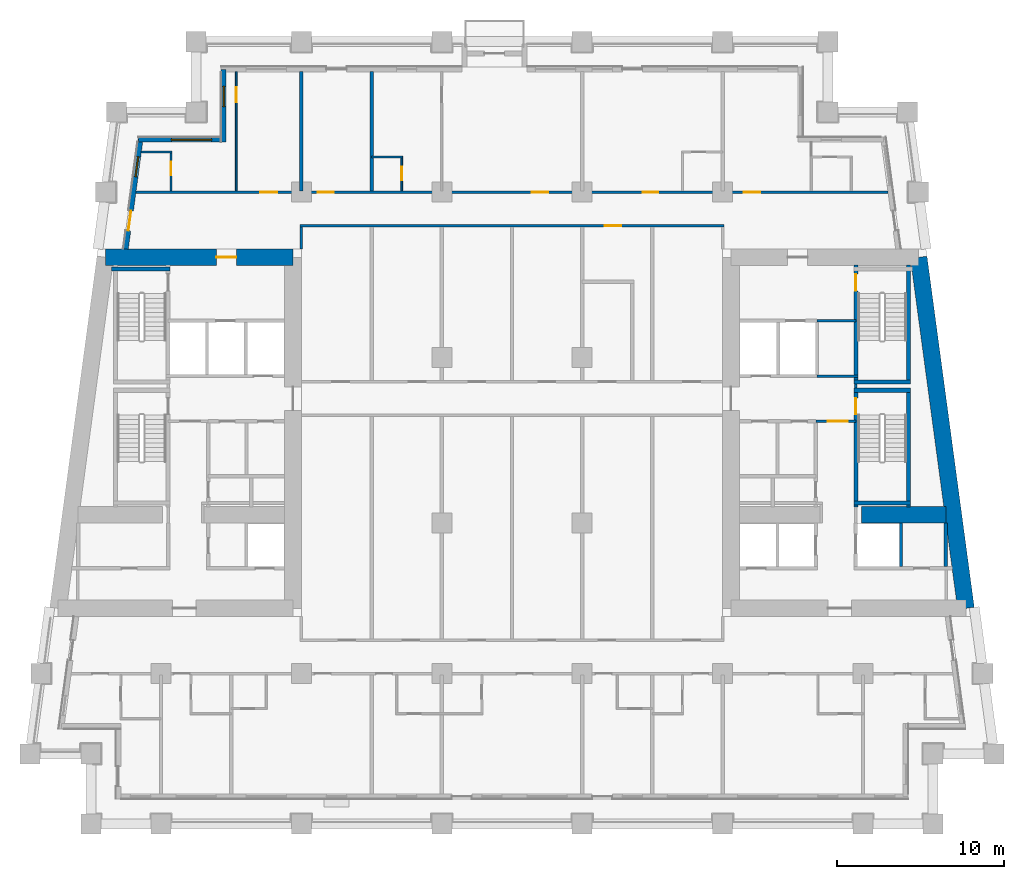
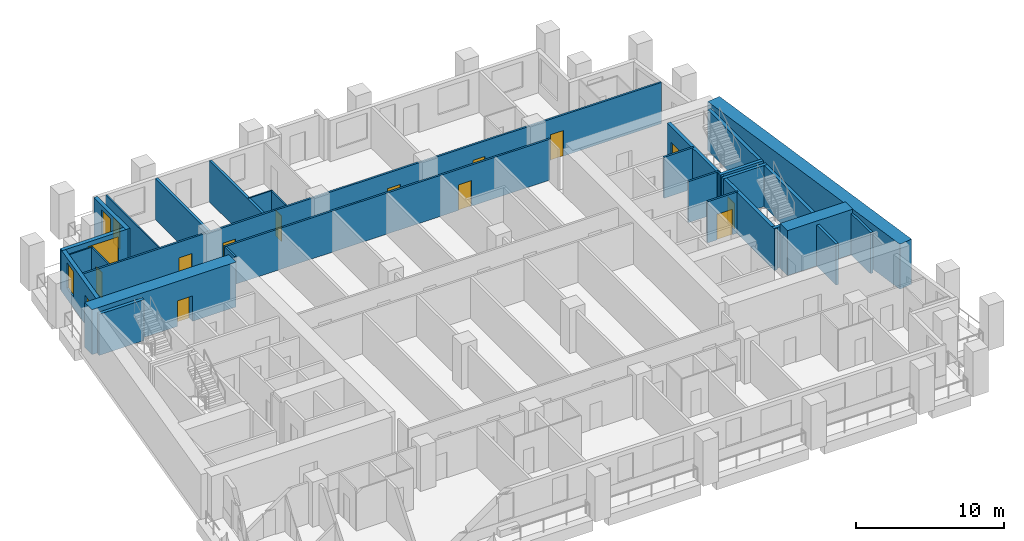
# One storey, part 6 of 13: 30 walls, 14 doors, 3 windows, 17 openings.
"""IFC4 building model written with IfcOpenShell, lengths in metres."""

import ifcopenshell
import ifcopenshell.guid

model = None  # the IFC model being written
_history = None  # IfcOwnerHistory: only IFC2X3 demands one
_inside = {}  # id of a spatial element -> (the spatial element, [elements in it])
_under = {}  # id of a project, library or spatial element -> (it, [spatial elements below it])
_declared = {}  # id of a project -> (the project, [libraries it declares])
_typed = {}  # id of a type object -> (the type object, [elements of that type])
_made_of = {}  # id of a material, layer set ... -> (it, [elements and type objects made of it])


def new_model(schema):
    """Start an empty IFC model of exactly this schema.

    Asked for "IFC4X3", IfcOpenShell would pick the latest addendum, in which some entities
    have other attributes; the version numbers below select the first issue.
    IFC2X3 requires an IfcOwnerHistory on every rooted entity: one is made here for all.
    """
    global model, _history
    if schema == "IFC4X3":
        model = ifcopenshell.file(schema_version=(4, 3, 0, 0))
    else:
        model = ifcopenshell.file(schema=schema)
    _inside.clear()
    _under.clear()
    _declared.clear()
    _typed.clear()
    _made_of.clear()
    _history = None
    if model.schema == "IFC2X3":
        org = make("IfcOrganization", Name="unknown")
        user = make(
            "IfcPersonAndOrganization",
            ThePerson=make("IfcPerson", FamilyName="unknown"),
            TheOrganization=org,
        )
        app = make(
            "IfcApplication",
            ApplicationDeveloper=org,
            Version="unknown",
            ApplicationFullName="unknown",
            ApplicationIdentifier="unknown",
        )
        _history = make(
            "IfcOwnerHistory",
            OwningUser=user,
            OwningApplication=app,
            ChangeAction="ADDED",
            CreationDate=0,
        )
    return model


def make(cls, **values):
    """One entity of the class cls with the attributes given. An attribute that is None is left unset."""
    return model.create_entity(
        cls, **{name: value for name, value in values.items() if value is not None}
    )


def rooted(cls, **values):
    """An entity with a GlobalId (a new one), such as an element, a storey or a relation."""
    return make(cls, GlobalId=ifcopenshell.guid.new(), OwnerHistory=_history, **values)


def si_unit(unit_type, name, prefix=None):
    """IfcSIUnit, for example si_unit("LENGTHUNIT", "METRE", prefix="MILLI")."""
    return make("IfcSIUnit", UnitType=unit_type, Prefix=prefix, Name=name)


def assignment(units):
    """IfcUnitAssignment: the units of a project."""
    return None if units is None else make("IfcUnitAssignment", Units=units)


def point(xyz):
    """IfcCartesianPoint."""
    return None if xyz is None else make("IfcCartesianPoint", Coordinates=xyz)


def direction(xyz):
    """IfcDirection."""
    return None if xyz is None else make("IfcDirection", DirectionRatios=xyz)


def frame(location, z_axis=None, x_axis=None):
    """IfcAxis2Placement3D, a coordinate frame: its origin and axes. An axis left out is left unset."""
    return make(
        "IfcAxis2Placement3D",
        Location=point(location),
        Axis=direction(z_axis),
        RefDirection=direction(x_axis),
    )


def frame_2d(location, x_axis=None):
    """IfcAxis2Placement2D, a coordinate frame in the plane: its origin and x axis."""
    return make(
        "IfcAxis2Placement2D", Location=point(location), RefDirection=direction(x_axis)
    )


def origin():
    """The frame at (0, 0, 0) with its axes left unset."""
    return frame((0.0, 0.0, 0.0))


def place(relative_to, where):
    """IfcLocalPlacement: puts the frame where relative to a parent placement (None: the world)."""
    return make(
        "IfcLocalPlacement", PlacementRelTo=relative_to, RelativePlacement=where
    )


def context(
    kind, dimensions, precision=None, world=None, true_north=None, identifier=None
):
    """IfcGeometricRepresentationContext, for example the 3D "Model" context."""
    return make(
        "IfcGeometricRepresentationContext",
        ContextIdentifier=identifier,
        ContextType=kind,
        CoordinateSpaceDimension=dimensions,
        Precision=precision,
        WorldCoordinateSystem=world,
        TrueNorth=true_north,
    )


def subcontext(parent, identifier, kind, view, scale=None):
    """IfcGeometricRepresentationSubContext, for example "Body" below "Model"."""
    return make(
        "IfcGeometricRepresentationSubContext",
        ContextIdentifier=identifier,
        ContextType=kind,
        ParentContext=parent,
        TargetScale=scale,
        TargetView=view,
    )


def project(units=None, contexts=None):
    """IfcProject with its units and contexts."""
    return rooted(
        "IfcProject",
        Name="project",
        RepresentationContexts=contexts,
        UnitsInContext=assignment(units),
    )


def spatial(cls, under=None, at=None, **own):
    """A site, building, storey or space (cls), placed at a placement, below another one or the project."""
    s = rooted(cls, ObjectPlacement=at, **own)
    if under is not None:
        _under.setdefault(under.id(), (under, []))[1].append(s)
    return s


def profile(cls, at=None, kind="AREA", **sizes):
    """A parametric profile (cls). Its sizes go by their IFC names, for example OverallWidth=200.0."""
    return make(cls, ProfileType=kind, Position=at, **sizes)


def rectangle(**sizes):
    """IfcRectangleProfileDef."""
    return profile("IfcRectangleProfileDef", **sizes)


def extrude(swept, where, along, depth):
    """IfcExtrudedAreaSolid: the profile swept, set in the frame where, extruded along a direction by depth."""
    return make(
        "IfcExtrudedAreaSolid",
        SweptArea=swept,
        Position=where,
        ExtrudedDirection=direction(along),
        Depth=depth,
    )


def shape(context_of_items, identifier, shape_type, items):
    """IfcShapeRepresentation: the items that make up one representation, for example the "Body"."""
    return make(
        "IfcShapeRepresentation",
        ContextOfItems=context_of_items,
        RepresentationIdentifier=identifier,
        RepresentationType=shape_type,
        Items=items,
    )


def material(Name=None, Category=None):
    """IfcMaterial."""
    return make("IfcMaterial", Name=Name, Category=Category)


def layer(
    of_material, thickness, ventilated=None, Name=None, Category=None, Priority=None
):
    """IfcMaterialLayer: one layer of a wall or slab, of a material (None: an air gap)."""
    return make(
        "IfcMaterialLayer",
        Material=of_material,
        LayerThickness=thickness,
        IsVentilated=ventilated,
        Name=Name,
        Category=Category,
        Priority=Priority,
    )


def layer_set(layers, Name=None):
    """IfcMaterialLayerSet."""
    return make("IfcMaterialLayerSet", MaterialLayers=layers, LayerSetName=Name)


def made_of(thing, what):
    """Note that an element or type object is made of a material, layer set ...; save() writes the relation."""
    if what is not None:
        _made_of.setdefault(what.id(), (what, []))[1].append(thing)
    return thing


def type_object(cls, material=None, **own):
    """A type object (cls), such as IfcWallType, which elements share."""
    return made_of(rooted(cls, **own), material)


def element(
    cls,
    number,
    at=None,
    inside=None,
    cuts=None,
    type_object=None,
    material=None,
    context=None,
    identifier="Body",
    shape_type=None,
    held_by="IfcProductDefinitionShape",
    body=None,
    shapes=None,
    **own,
):
    """One element of the class cls, such as IfcWall. Its Tag is "e" and its number.

    at: its placement. inside: the storey or other place that contains it. cuts: it is an
    opening in that element (IfcRelVoidsElement). A single representation is given by context,
    identifier, shape_type and body (its items); several are given by shapes. held_by: the class
    of the entity that holds the representations. save() writes the other relations.
    """
    e = rooted(cls, Tag="e%d" % number, ObjectPlacement=at, **own)
    if body is not None:
        shapes = [shape(context, identifier, shape_type, body)]
    if shapes is not None:
        e.Representation = make(held_by, Representations=shapes)
    if inside is not None:
        _inside.setdefault(inside.id(), (inside, []))[1].append(e)
    if cuts is not None:
        rooted(
            "IfcRelVoidsElement", RelatingBuildingElement=cuts, RelatedOpeningElement=e
        )
    if type_object is not None:
        _typed.setdefault(type_object.id(), (type_object, []))[1].append(e)
    return made_of(e, material)


def fill(opening, filler):
    """IfcRelFillsElement: the door or window that sits in an opening."""
    return rooted(
        "IfcRelFillsElement",
        RelatingOpeningElement=opening,
        RelatedBuildingElement=filler,
    )


def aggregate(whole, parts):
    """IfcRelAggregates: a whole, such as a stair, and the parts it consists of."""
    return rooted("IfcRelAggregates", RelatingObject=whole, RelatedObjects=parts)


def save(model, path):
    """Write the relations noted so far, then the file.

    IfcRelAggregates (storeys below a building ...), IfcRelContainedInSpatialStructure (elements
    in a storey), IfcRelDefinesByType, IfcRelAssociatesMaterial and IfcRelDeclares: one each for
    every whole, place, type object, material and project.
    """
    for whole, parts in _under.values():
        aggregate(whole, parts)
    for where, things in _inside.values():
        rooted(
            "IfcRelContainedInSpatialStructure",
            RelatedElements=things,
            RelatingStructure=where,
        )
    for kind, things in _typed.values():
        rooted("IfcRelDefinesByType", RelatedObjects=things, RelatingType=kind)
    for what, things in _made_of.values():
        rooted("IfcRelAssociatesMaterial", RelatedObjects=things, RelatingMaterial=what)
    for by, libraries in _declared.values():
        rooted("IfcRelDeclares", RelatingContext=by, RelatedDefinitions=libraries)
    model.write(path)


model = new_model("IFC4")

# Units and contexts
model_context = context("Model", 3, precision=1e-05, world=origin(), true_north=direction((0.0, 1.0)))
body_context = subcontext(model_context, "Body", "Model", "MODEL_VIEW")
ifc_project = project(units=[si_unit("LENGTHUNIT", "METRE"), si_unit("AREAUNIT", "SQUARE_METRE"), si_unit("VOLUMEUNIT", "CUBIC_METRE"), si_unit("PLANEANGLEUNIT", "RADIAN"), si_unit("MASSUNIT", "GRAM", prefix="KILO")], contexts=[model_context])

# Site, building, storey
site_placement = place(None, origin())
site = spatial("IfcSite", under=ifc_project, at=site_placement, CompositionType="ELEMENT")
building_placement = place(site_placement, origin())
building = spatial("IfcBuilding", under=site, at=building_placement, Name="Candeia Pilgrim Tower and Theatre", CompositionType="ELEMENT")
storey_placement = place(building_placement, frame((0.0, 0.0, 105.800048828125)))
storey = spatial("IfcBuildingStorey", under=building, at=storey_placement, Name="L24", CompositionType="ELEMENT", Elevation=105.800048828125)

# Wall, opening, door
ifc_material_1 = material(Name="Concrete C70/85", Category="concrete")
ifc_layer_1 = layer(ifc_material_1, 1.0)
ifc_layer_set_1 = layer_set([ifc_layer_1], Name="Core wall 1000 C70/85")
wall_type_1 = type_object("IfcWallType", Name="Core wall 1000 C70/85", PredefinedType="SHEAR", material=ifc_layer_set_1)
wall_1_placement = place(storey_placement, frame((89.06787109375, 131.89990234375, 0.0), z_axis=(0.0, 0.0, 1.0), x_axis=(1.0, 0.0, 0.0)))
wall_1 = element("IfcWall", 1, at=wall_1_placement, inside=storey, type_object=wall_type_1, Name="Core wall W1", PredefinedType="SHEAR", context=body_context, shape_type="SweptSolid", body=[
    extrude(rectangle(XDim=11.232177734375, YDim=1.0, at=frame_2d((5.6162109375, 0.0))), origin(), (0.0, 0.0, 1.0), 3.699951171875),
])
opening_1_placement = place(wall_1_placement, frame((6.6455078125, 0.0, 0.0)))
opening_1 = element("IfcOpeningElement", 2, at=opening_1_placement, cuts=wall_1, Name="Opening L24-D060", PredefinedType="OPENING", context=body_context, shape_type="SweptSolid", body=[
    extrude(rectangle(XDim=1.199951171875, YDim=2.10009765625, at=frame_2d((0.60009765625, 1.050048828125))), frame((0.0, 0.510009765625, 0.0), z_axis=(0.0, -1.0, 0.0), x_axis=(1.0, 0.0, 0.0)), (0.0, 0.0, 1.0), 1.02001953125),
])
ifc_material_2 = material(Name="Steel fire door set", Category="steel")
door_type_1 = type_object("IfcDoorType", Name="D-1200-FD60", OperationType="NOTDEFINED", PredefinedType="DOOR", material=ifc_material_2)
door_1_placement = place(opening_1_placement, origin())
door_1 = element("IfcDoor", 3, at=door_1_placement, inside=storey, type_object=door_type_1, Name="Door L24-D060", OperationType="SINGLE_SWING_RIGHT", OverallHeight=2.10009765625, OverallWidth=1.199951171875, PredefinedType="DOOR", context=body_context, shape_type="SweptSolid", body=[
    extrude(rectangle(XDim=1.199951171875, YDim=2.10009765625, at=frame_2d((0.60009765625, 1.050048828125))), frame((0.0, 0.02490234375, 0.0), z_axis=(0.0, -1.0, 0.0), x_axis=(1.0, 0.0, 0.0)), (0.0, 0.0, 1.0), 0.050048828125),
])
fill(opening_1, door_1)

# Walls
wall_2_placement = place(storey_placement, frame((137.73193359375, 131.89990234375, 0.0), z_axis=(0.0, 0.0, 1.0), x_axis=(0.133411141623, -0.991060778808, 0.0)))
element("IfcWall", 4, at=wall_2_placement, inside=storey, type_object=wall_type_1, Name="Core wall E2", PredefinedType="SHEAR", context=body_context, shape_type="SweptSolid", body=[
    extrude(rectangle(XDim=21.189453125, YDim=1.0, at=frame_2d((10.5947265625, 0.0))), origin(), (0.0, 0.0, 1.0), 3.699951171875),
])
wall_3_placement = place(storey_placement, frame((134.300048828125, 116.5, 0.0), z_axis=(0.0, 0.0, 1.0), x_axis=(1.0, 0.0, 0.0)))
element("IfcWall", 5, at=wall_3_placement, inside=storey, type_object=wall_type_1, Name="Core wall E6", PredefinedType="SHEAR", context=body_context, shape_type="SweptSolid", body=[
    extrude(rectangle(XDim=5.076904296875, YDim=1.0, at=frame_2d((2.53857421875, 0.0))), origin(), (0.0, 0.0, 1.0), 3.699951171875),
])

# Wall, opening, window
ifc_material_3 = material(Name="Ceramic block masonry", Category="masonry")
ifc_layer_2 = layer(ifc_material_3, 0.300048828125)
ifc_layer_set_2 = layer_set([ifc_layer_2], Name="EW1 glazing-line wall 300")
wall_type_2 = type_object("IfcWallType", Name="EW1 glazing-line wall 300", PredefinedType="SOLIDWALL", material=ifc_layer_set_2)
wall_4_placement = place(storey_placement, frame((96.14990234375, 143.14990234375, 0.0), z_axis=(0.0, 0.0, 1.0), x_axis=(0.0, -1.0, 0.0)))
wall_4 = element("IfcWall", 6, at=wall_4_placement, inside=storey, type_object=wall_type_2, Name="External wall L24-7.0", PredefinedType="SOLIDWALL", context=body_context, shape_type="SweptSolid", body=[
    extrude(rectangle(XDim=4.349853515625, YDim=0.300048828125, at=frame_2d((2.1748046875, 0.0))), origin(), (0.0, 0.0, 1.0), 3.3798828125),
])
opening_2_placement = place(wall_4_placement, frame((1.02490234375, 0.0, 0.89990234375)))
opening_2 = element("IfcOpeningElement", 7, at=opening_2_placement, cuts=wall_4, Name="Opening W-B", PredefinedType="OPENING", context=body_context, shape_type="SweptSolid", body=[
    extrude(rectangle(XDim=1.199951171875, YDim=2.10009765625, at=frame_2d((0.60009765625, 1.050048828125))), frame((0.0, 0.16015625, 0.0), z_axis=(0.0, -1.0, 0.0), x_axis=(1.0, 0.0, 0.0)), (0.0, 0.0, 1.0), 0.320068359375),
])
ifc_material_4 = material(Name="Aluminium framed double glazing", Category="aluminium")
window_type_1 = type_object("IfcWindowType", Name="W-B window 1200x2100", PartitioningType="SINGLE_PANEL", PredefinedType="WINDOW", material=ifc_material_4)
window_1_placement = place(opening_2_placement, origin())
window_1 = element("IfcWindow", 8, at=window_1_placement, inside=storey, type_object=window_type_1, Name="Window W-B L24", OverallHeight=2.10009765625, OverallWidth=1.199951171875, PartitioningType="SINGLE_PANEL", PredefinedType="WINDOW", context=body_context, shape_type="SweptSolid", body=[
    extrude(rectangle(XDim=1.199951171875, YDim=2.10009765625, at=frame_2d((0.60009765625, 1.050048828125))), frame((0.0, 0.030029296875, 0.0), z_axis=(0.0, -1.0, 0.0), x_axis=(1.0, 0.0, 0.0)), (0.0, 0.0, 1.0), 0.06005859375),
])
fill(opening_2, window_1)

wall_5_placement = place(storey_placement, frame((96.14990234375, 138.949951171875, 0.0), z_axis=(0.0, 0.0, 1.0), x_axis=(-1.0, 0.0, 0.0)))
wall_5 = element("IfcWall", 9, at=wall_5_placement, inside=storey, type_object=wall_type_2, Name="External wall L24-8.0", PredefinedType="SOLIDWALL", context=body_context, shape_type="SweptSolid", body=[
    extrude(rectangle(XDim=5.103759765625, YDim=0.300048828125, at=frame_2d((2.5517578125, 0.0))), origin(), (0.0, 0.0, 1.0), 3.3798828125),
])
opening_3_placement = place(wall_5_placement, frame((0.72509765625, 0.0, 0.89990234375)))
opening_3 = element("IfcOpeningElement", 10, at=opening_3_placement, cuts=wall_5, Name="Opening W-A", PredefinedType="OPENING", context=body_context, shape_type="SweptSolid", body=[
    extrude(rectangle(XDim=2.39990234375, YDim=2.10009765625, at=frame_2d((1.199951171875, 1.050048828125))), frame((0.0, 0.16015625, 0.0), z_axis=(0.0, -1.0, 0.0), x_axis=(1.0, 0.0, 0.0)), (0.0, 0.0, 1.0), 0.320068359375),
])
window_type_2 = type_object("IfcWindowType", Name="W-A window 2400x2100", PartitioningType="DOUBLE_PANEL_VERTICAL", PredefinedType="WINDOW", material=ifc_material_4)
window_2_placement = place(opening_3_placement, origin())
window_2 = element("IfcWindow", 11, at=window_2_placement, inside=storey, type_object=window_type_2, Name="Window W-A L24", OverallHeight=2.10009765625, OverallWidth=2.39990234375, PartitioningType="SINGLE_PANEL", PredefinedType="WINDOW", context=body_context, shape_type="SweptSolid", body=[
    extrude(rectangle(XDim=2.39990234375, YDim=2.10009765625, at=frame_2d((1.199951171875, 1.050048828125))), frame((0.0, 0.030029296875, 0.0), z_axis=(0.0, -1.0, 0.0), x_axis=(1.0, 0.0, 0.0)), (0.0, 0.0, 1.0), 0.06005859375),
])
fill(opening_3, window_2)

# Wall, openings, door, window
wall_6_placement = place(storey_placement, frame((91.177490234375, 138.949951171875, 0.0), z_axis=(0.0, 0.0, 1.0), x_axis=(-0.133426664613, -0.991058689065, 0.0)))
wall_6 = element("IfcWall", 12, at=wall_6_placement, inside=storey, type_object=wall_type_2, Name="External wall L24-9.0", PredefinedType="SOLIDWALL", context=body_context, shape_type="SweptSolid", body=[
    extrude(rectangle(XDim=6.609130859375, YDim=0.300048828125, at=frame_2d((3.3046875, 0.0))), origin(), (0.0, 0.0, 1.0), 3.3798828125),
])
opening_4_placement = place(wall_6_placement, frame((1.039306640625, 0.0, 0.89990234375)))
opening_4 = element("IfcOpeningElement", 13, at=opening_4_placement, cuts=wall_6, Name="Opening W-B", PredefinedType="OPENING", context=body_context, shape_type="SweptSolid", body=[
    extrude(rectangle(XDim=1.199951171875, YDim=2.10009765625, at=frame_2d((0.60009765625, 1.050048828125))), frame((0.0, 0.16015625, 0.0), z_axis=(0.0, -1.0, 0.0), x_axis=(1.0, 0.0, 0.0)), (0.0, 0.0, 1.0), 0.320068359375),
])
opening_5_placement = place(wall_6_placement, frame((4.293701171875, 0.0, 0.0)))
opening_5 = element("IfcOpeningElement", 14, at=opening_5_placement, cuts=wall_6, Name="Opening L24-ED250", PredefinedType="OPENING", context=body_context, shape_type="SweptSolid", body=[
    extrude(rectangle(XDim=1.199951171875, YDim=2.39990234375, at=frame_2d((0.60009765625, 1.199951171875))), frame((0.0, 0.16015625, 0.0), z_axis=(0.0, -1.0, 0.0), x_axis=(1.0, 0.0, 0.0)), (0.0, 0.0, 1.0), 0.320068359375),
])
ifc_material_5 = material(Name="Aluminium framed glazed door", Category="aluminium")
door_type_2 = type_object("IfcDoorType", Name="Loggia door 1200x2400", OperationType="DOUBLE_DOOR_SINGLE_SWING", PredefinedType="DOOR", material=ifc_material_5)
door_2_placement = place(opening_5_placement, origin())
door_2 = element("IfcDoor", 15, at=door_2_placement, inside=storey, type_object=door_type_2, Name="Loggia door L24-ED250", OperationType="DOUBLE_DOOR_SINGLE_SWING", OverallHeight=2.39990234375, OverallWidth=1.199951171875, PredefinedType="DOOR", context=body_context, shape_type="SweptSolid", body=[
    extrude(rectangle(XDim=1.199951171875, YDim=2.39990234375, at=frame_2d((0.60009765625, 1.199951171875))), frame((0.0, 0.02490234375, 0.0), z_axis=(0.0, -1.0, 0.0), x_axis=(1.0, 0.0, 0.0)), (0.0, 0.0, 1.0), 0.050048828125),
])
fill(opening_5, door_2)
window_3_placement = place(opening_4_placement, origin())
window_3 = element("IfcWindow", 16, at=window_3_placement, inside=storey, type_object=window_type_1, Name="Window W-B L24", OverallHeight=2.10009765625, OverallWidth=1.199951171875, PartitioningType="SINGLE_PANEL", PredefinedType="WINDOW", context=body_context, shape_type="SweptSolid", body=[
    extrude(rectangle(XDim=1.199951171875, YDim=2.10009765625, at=frame_2d((0.60009765625, 1.050048828125))), frame((0.0, 0.030029296875, 0.0), z_axis=(0.0, -1.0, 0.0), x_axis=(1.0, 0.0, 0.0)), (0.0, 0.0, 1.0), 0.06005859375),
])
fill(opening_4, window_3)

# Walls
ifc_material_6 = material(Name="Gypsum board partition on steel studs", Category="steel")
ifc_layer_3 = layer(ifc_material_6, 0.10009765625)
ifc_layer_set_3 = layer_set([ifc_layer_3], Name="PW-100 room partition")
wall_type_3 = type_object("IfcWallType", Name="PW-100 room partition", PredefinedType="PARTITIONING", material=ifc_layer_set_3)
wall_7_placement = place(storey_placement, frame((105.0, 137.89990234375, 0.0), z_axis=(0.0, 0.0, 1.0), x_axis=(1.0, 0.0, 0.0)))
element("IfcWall", 17, at=wall_7_placement, inside=storey, type_object=wall_type_3, Name="Room partition L24-044", PredefinedType="PARTITIONING", context=body_context, shape_type="SweptSolid", body=[
    extrude(rectangle(XDim=1.85009765625, YDim=0.10009765625, at=frame_2d((0.925048828125, 0.0))), origin(), (0.0, 0.0, 1.0), 3.3798828125),
])
wall_8_placement = place(storey_placement, frame((91.2177734375, 138.199951171875, 0.0), z_axis=(0.0, 0.0, 1.0), x_axis=(1.0, 0.0, 0.0)))
element("IfcWall", 18, at=wall_8_placement, inside=storey, type_object=wall_type_3, Name="Room partition L24-046", PredefinedType="PARTITIONING", context=body_context, shape_type="SweptSolid", body=[
    extrude(rectangle(XDim=1.832275390625, YDim=0.10009765625, at=frame_2d((0.916015625, 0.0))), origin(), (0.0, 0.0, 1.0), 3.3798828125),
])

# Wall, opening, door
wall_9_placement = place(storey_placement, frame((93.0, 135.875, 0.0), z_axis=(0.0, 0.0, 1.0), x_axis=(0.0, 1.0, 0.0)))
wall_9 = element("IfcWall", 19, at=wall_9_placement, inside=storey, type_object=wall_type_3, Name="Room partition L24-059", PredefinedType="PARTITIONING", context=body_context, shape_type="SweptSolid", body=[
    extrude(rectangle(XDim=2.27490234375, YDim=0.10009765625, at=frame_2d((1.137451171875, 0.0))), origin(), (0.0, 0.0, 1.0), 3.3798828125),
])
opening_6_placement = place(wall_9_placement, frame((0.949951171875, 0.0, 0.0)))
opening_6 = element("IfcOpeningElement", 20, at=opening_6_placement, cuts=wall_9, Name="Opening L24-D036", PredefinedType="OPENING", context=body_context, shape_type="SweptSolid", body=[
    extrude(rectangle(XDim=0.800048828125, YDim=2.10009765625, at=frame_2d((0.39990234375, 1.050048828125))), frame((0.0, 0.06005859375, 0.0), z_axis=(0.0, -1.0, 0.0), x_axis=(1.0, 0.0, 0.0)), (0.0, 0.0, 1.0), 0.1201171875),
])
ifc_material_7 = material(Name="Timber door leaf", Category="wood")
door_type_3 = type_object("IfcDoorType", Name="D-800", OperationType="NOTDEFINED", PredefinedType="DOOR", material=ifc_material_7)
door_3_placement = place(opening_6_placement, origin())
door_3 = element("IfcDoor", 21, at=door_3_placement, inside=storey, type_object=door_type_3, Name="Door L24-D036", OperationType="SINGLE_SWING_RIGHT", OverallHeight=2.10009765625, OverallWidth=0.800048828125, PredefinedType="DOOR", context=body_context, shape_type="SweptSolid", body=[
    extrude(rectangle(XDim=0.800048828125, YDim=2.10009765625, at=frame_2d((0.39990234375, 1.050048828125))), frame((0.0, 0.02490234375, 0.0), z_axis=(0.0, -1.0, 0.0), x_axis=(1.0, 0.0, 0.0)), (0.0, 0.0, 1.0), 0.050048828125),
])
fill(opening_6, door_3)

wall_10_placement = place(storey_placement, frame((96.89990234375, 135.875, 0.0), z_axis=(0.0, 0.0, 1.0), x_axis=(0.0, 1.0, 0.0)))
wall_10 = element("IfcWall", 22, at=wall_10_placement, inside=storey, type_object=wall_type_3, Name="Room partition L24-066", PredefinedType="PARTITIONING", context=body_context, shape_type="SweptSolid", body=[
    extrude(rectangle(XDim=7.135009765625, YDim=0.10009765625, at=frame_2d((3.5673828125, 0.0))), origin(), (0.0, 0.0, 1.0), 3.3798828125),
])
opening_7_placement = place(wall_10_placement, frame((5.2900390625, 0.0, 0.0)))
opening_7 = element("IfcOpeningElement", 23, at=opening_7_placement, cuts=wall_10, Name="Opening L24-D035", PredefinedType="OPENING", context=body_context, shape_type="SweptSolid", body=[
    extrude(rectangle(XDim=0.89990234375, YDim=2.10009765625, at=frame_2d((0.449951171875, 1.050048828125))), frame((0.0, 0.06005859375, 0.0), z_axis=(0.0, -1.0, 0.0), x_axis=(1.0, 0.0, 0.0)), (0.0, 0.0, 1.0), 0.1201171875),
])
door_type_4 = type_object("IfcDoorType", Name="D-900", OperationType="NOTDEFINED", PredefinedType="DOOR", material=ifc_material_7)
door_4_placement = place(opening_7_placement, origin())
door_4 = element("IfcDoor", 24, at=door_4_placement, inside=storey, type_object=door_type_4, Name="Door L24-D035", OperationType="SINGLE_SWING_LEFT", OverallHeight=2.10009765625, OverallWidth=0.89990234375, PredefinedType="DOOR", context=body_context, shape_type="SweptSolid", body=[
    extrude(rectangle(XDim=0.89990234375, YDim=2.10009765625, at=frame_2d((0.449951171875, 1.050048828125))), frame((0.0, 0.02490234375, 0.0), z_axis=(0.0, -1.0, 0.0), x_axis=(1.0, 0.0, 0.0)), (0.0, 0.0, 1.0), 0.050048828125),
])
fill(opening_7, door_4)

wall_11_placement = place(storey_placement, frame((106.800048828125, 135.875, 0.0), z_axis=(0.0, 0.0, 1.0), x_axis=(0.0, 1.0, 0.0)))
wall_11 = element("IfcWall", 25, at=wall_11_placement, inside=storey, type_object=wall_type_3, Name="Room partition L24-080", PredefinedType="PARTITIONING", context=body_context, shape_type="SweptSolid", body=[
    extrude(rectangle(XDim=1.97509765625, YDim=0.10009765625, at=frame_2d((0.987548828125, 0.0))), origin(), (0.0, 0.0, 1.0), 3.3798828125),
])
opening_8_placement = place(wall_11_placement, frame((0.635009765625, 0.0, 0.0)))
opening_8 = element("IfcOpeningElement", 26, at=opening_8_placement, cuts=wall_11, Name="Opening L24-D040", PredefinedType="OPENING", context=body_context, shape_type="SweptSolid", body=[
    extrude(rectangle(XDim=0.800048828125, YDim=2.10009765625, at=frame_2d((0.39990234375, 1.050048828125))), frame((0.0, 0.06005859375, 0.0), z_axis=(0.0, -1.0, 0.0), x_axis=(1.0, 0.0, 0.0)), (0.0, 0.0, 1.0), 0.1201171875),
])
door_5_placement = place(opening_8_placement, origin())
door_5 = element("IfcDoor", 27, at=door_5_placement, inside=storey, type_object=door_type_3, Name="Door L24-D040", OperationType="SINGLE_SWING_RIGHT", OverallHeight=2.10009765625, OverallWidth=0.800048828125, PredefinedType="DOOR", context=body_context, shape_type="SweptSolid", body=[
    extrude(rectangle(XDim=0.800048828125, YDim=2.10009765625, at=frame_2d((0.39990234375, 1.050048828125))), frame((0.0, 0.02490234375, 0.0), z_axis=(0.0, -1.0, 0.0), x_axis=(1.0, 0.0, 0.0)), (0.0, 0.0, 1.0), 0.050048828125),
])
fill(opening_8, door_5)

ifc_layer_4 = layer(ifc_material_6, 0.14990234375)
ifc_layer_set_4 = layer_set([ifc_layer_4], Name="PW-150 lobby wall")
wall_type_4 = type_object("IfcWallType", Name="PW-150 lobby wall", PredefinedType="PARTITIONING", material=ifc_layer_set_4)
wall_12_placement = place(storey_placement, frame((131.572998046875, 122.10009765625, 0.0), z_axis=(0.0, 0.0, 1.0), x_axis=(1.0, 0.0, 0.0)))
wall_12 = element("IfcWall", 28, at=wall_12_placement, inside=storey, type_object=wall_type_4, Name="Lobby wall L24-026", PredefinedType="PARTITIONING", context=body_context, shape_type="SweptSolid", body=[
    extrude(rectangle(XDim=2.39990234375, YDim=0.14990234375, at=frame_2d((1.199951171875, 0.0))), origin(), (0.0, 0.0, 1.0), 3.3798828125),
])
opening_9_placement = place(wall_12_placement, frame((0.72509765625, 0.0, 0.0)))
opening_9 = element("IfcOpeningElement", 29, at=opening_9_placement, cuts=wall_12, Name="Opening L24-D009", PredefinedType="OPENING", context=body_context, shape_type="SweptSolid", body=[
    extrude(rectangle(XDim=1.199951171875, YDim=2.10009765625, at=frame_2d((0.60009765625, 1.050048828125))), frame((0.0, 0.0849609375, 0.0), z_axis=(0.0, -1.0, 0.0), x_axis=(1.0, 0.0, 0.0)), (0.0, 0.0, 1.0), 0.169921875),
])
door_6_placement = place(opening_9_placement, origin())
door_6 = element("IfcDoor", 30, at=door_6_placement, inside=storey, type_object=door_type_1, Name="Door L24-D009", OperationType="SINGLE_SWING_RIGHT", OverallHeight=2.10009765625, OverallWidth=1.199951171875, PredefinedType="DOOR", context=body_context, shape_type="SweptSolid", body=[
    extrude(rectangle(XDim=1.199951171875, YDim=2.10009765625, at=frame_2d((0.60009765625, 1.050048828125))), frame((0.0, 0.02490234375, 0.0), z_axis=(0.0, -1.0, 0.0), x_axis=(1.0, 0.0, 0.0)), (0.0, 0.0, 1.0), 0.050048828125),
])
fill(opening_9, door_6)

# Walls
wall_13_placement = place(storey_placement, frame((131.648681640625, 124.800048828125, 0.0), z_axis=(0.0, 0.0, 1.0), x_axis=(1.0, 0.0, 0.0)))
element("IfcWall", 31, at=wall_13_placement, inside=storey, type_object=wall_type_4, Name="Lobby wall L24-035", PredefinedType="PARTITIONING", context=body_context, shape_type="SweptSolid", body=[
    extrude(rectangle(XDim=2.44921875, YDim=0.14990234375, at=frame_2d((1.224609375, 0.0))), origin(), (0.0, 0.0, 1.0), 3.3798828125),
])
wall_14_placement = place(storey_placement, frame((131.648681640625, 128.10009765625, 0.0), z_axis=(0.0, 0.0, 1.0), x_axis=(1.0, 0.0, 0.0)))
element("IfcWall", 32, at=wall_14_placement, inside=storey, type_object=wall_type_4, Name="Lobby wall L24-038", PredefinedType="PARTITIONING", context=body_context, shape_type="SweptSolid", body=[
    extrude(rectangle(XDim=2.32421875, YDim=0.14990234375, at=frame_2d((1.162109375, 0.0))), origin(), (0.0, 0.0, 1.0), 3.3798828125),
])
wall_15_placement = place(storey_placement, frame((133.972900390625, 124.074951171875, 0.0), z_axis=(0.0, 0.0, 1.0), x_axis=(0.0, 1.0, 0.0)))
element("IfcWall", 33, at=wall_15_placement, inside=storey, type_object=wall_type_4, Name="Lobby wall L24-116", PredefinedType="PARTITIONING", context=body_context, shape_type="SweptSolid", body=[
    extrude(rectangle(XDim=0.25, YDim=0.14990234375, at=frame_2d((0.125, 0.0))), origin(), (0.0, 0.0, 1.0), 3.3798828125),
])

# Wall, opening, door
ifc_layer_5 = layer(ifc_material_6, 0.14990234375)
ifc_layer_set_5 = layer_set([ifc_layer_5], Name="PW-150 unit wall")
wall_type_5 = type_object("IfcWallType", Name="PW-150 unit wall", PredefinedType="PARTITIONING", material=ifc_layer_set_5)
wall_16_placement = place(storey_placement, frame((100.72509765625, 133.800048828125, 0.0), z_axis=(0.0, 0.0, 1.0), x_axis=(1.0, 0.0, 0.0)))
wall_16 = element("IfcWall", 34, at=wall_16_placement, inside=storey, type_object=wall_type_5, Name="Unit wall L24-042", PredefinedType="PARTITIONING", context=body_context, shape_type="SweptSolid", body=[
    extrude(rectangle(XDim=25.349853515625, YDim=0.14990234375, at=frame_2d((12.6748046875, 0.0))), origin(), (0.0, 0.0, 1.0), 3.3798828125),
])
opening_10_placement = place(wall_16_placement, frame((18.22509765625, 0.0, 0.0)))
opening_10 = element("IfcOpeningElement", 35, at=opening_10_placement, cuts=wall_16, Name="Opening L24-D046", PredefinedType="OPENING", context=body_context, shape_type="SweptSolid", body=[
    extrude(rectangle(XDim=1.0, YDim=2.10009765625, at=frame_2d((0.5, 1.050048828125))), frame((0.0, 0.0849609375, 0.0), z_axis=(0.0, -1.0, 0.0), x_axis=(1.0, 0.0, 0.0)), (0.0, 0.0, 1.0), 0.169921875),
])
door_type_5 = type_object("IfcDoorType", Name="D-1000-FD30S", OperationType="NOTDEFINED", PredefinedType="DOOR", material=ifc_material_2)
door_7_placement = place(opening_10_placement, origin())
door_7 = element("IfcDoor", 36, at=door_7_placement, inside=storey, type_object=door_type_5, Name="Door L24-D046", OperationType="SINGLE_SWING_RIGHT", OverallHeight=2.10009765625, OverallWidth=1.0, PredefinedType="DOOR", context=body_context, shape_type="SweptSolid", body=[
    extrude(rectangle(XDim=1.0, YDim=2.10009765625, at=frame_2d((0.5, 1.050048828125))), frame((0.0, 0.02490234375, 0.0), z_axis=(0.0, -1.0, 0.0), x_axis=(1.0, 0.0, 0.0)), (0.0, 0.0, 1.0), 0.050048828125),
])
fill(opening_10, door_7)

# Wall, openings, doors
wall_17_placement = place(storey_placement, frame((90.89453125, 135.800048828125, 0.0), z_axis=(0.0, 0.0, 1.0), x_axis=(1.0, 0.0, 0.0)))
wall_17 = element("IfcWall", 37, at=wall_17_placement, inside=storey, type_object=wall_type_5, Name="Unit wall L24-043", PredefinedType="PARTITIONING", context=body_context, shape_type="SweptSolid", body=[
    extrude(rectangle(XDim=45.010986328125, YDim=0.14990234375, at=frame_2d((22.50537109375, 0.0))), origin(), (0.0, 0.0, 1.0), 3.3798828125),
])
opening_11_placement = place(wall_17_placement, frame((7.455322265625, 0.0, 0.0)))
opening_11 = element("IfcOpeningElement", 38, at=opening_11_placement, cuts=wall_17, Name="Opening L24-D034", PredefinedType="OPENING", context=body_context, shape_type="SweptSolid", body=[
    extrude(rectangle(XDim=1.0, YDim=2.10009765625, at=frame_2d((0.5, 1.050048828125))), frame((0.0, 0.0849609375, 0.0), z_axis=(0.0, -1.0, 0.0), x_axis=(1.0, 0.0, 0.0)), (0.0, 0.0, 1.0), 0.169921875),
])
opening_12_placement = place(wall_17_placement, frame((10.892333984375, 0.0, 0.0)))
opening_12 = element("IfcOpeningElement", 39, at=opening_12_placement, cuts=wall_17, Name="Opening L24-D037", PredefinedType="OPENING", context=body_context, shape_type="SweptSolid", body=[
    extrude(rectangle(XDim=0.949951171875, YDim=2.10009765625, at=frame_2d((0.47509765625, 1.050048828125))), frame((0.0, 0.0849609375, 0.0), z_axis=(0.0, -1.0, 0.0), x_axis=(1.0, 0.0, 0.0)), (0.0, 0.0, 1.0), 0.169921875),
])
opening_13_placement = place(wall_17_placement, frame((23.680419921875, 0.0, 0.0)))
opening_13 = element("IfcOpeningElement", 40, at=opening_13_placement, cuts=wall_17, Name="Opening L24-D038", PredefinedType="OPENING", context=body_context, shape_type="SweptSolid", body=[
    extrude(rectangle(XDim=1.0, YDim=2.10009765625, at=frame_2d((0.5, 1.050048828125))), frame((0.0, 0.0849609375, 0.0), z_axis=(0.0, -1.0, 0.0), x_axis=(1.0, 0.0, 0.0)), (0.0, 0.0, 1.0), 0.169921875),
])
opening_14_placement = place(wall_17_placement, frame((30.318359375, 0.0, 0.0)))
opening_14 = element("IfcOpeningElement", 41, at=opening_14_placement, cuts=wall_17, Name="Opening L24-D041", PredefinedType="OPENING", context=body_context, shape_type="SweptSolid", body=[
    extrude(rectangle(XDim=0.949951171875, YDim=2.10009765625, at=frame_2d((0.47509765625, 1.050048828125))), frame((0.0, 0.0849609375, 0.0), z_axis=(0.0, -1.0, 0.0), x_axis=(1.0, 0.0, 0.0)), (0.0, 0.0, 1.0), 0.169921875),
])
opening_15_placement = place(wall_17_placement, frame((36.35546875, 0.0, 0.0)))
opening_15 = element("IfcOpeningElement", 42, at=opening_15_placement, cuts=wall_17, Name="Opening L24-D043", PredefinedType="OPENING", context=body_context, shape_type="SweptSolid", body=[
    extrude(rectangle(XDim=1.0, YDim=2.10009765625, at=frame_2d((0.5, 1.050048828125))), frame((0.0, 0.0849609375, 0.0), z_axis=(0.0, -1.0, 0.0), x_axis=(1.0, 0.0, 0.0)), (0.0, 0.0, 1.0), 0.169921875),
])
door_8_placement = place(opening_11_placement, origin())
door_8 = element("IfcDoor", 43, at=door_8_placement, inside=storey, type_object=door_type_5, Name="Door L24-D034", OperationType="SINGLE_SWING_RIGHT", OverallHeight=2.10009765625, OverallWidth=1.0, PredefinedType="DOOR", context=body_context, shape_type="SweptSolid", body=[
    extrude(rectangle(XDim=1.0, YDim=2.10009765625, at=frame_2d((0.5, 1.050048828125))), frame((0.0, 0.02490234375, 0.0), z_axis=(0.0, -1.0, 0.0), x_axis=(1.0, 0.0, 0.0)), (0.0, 0.0, 1.0), 0.050048828125),
])
fill(opening_11, door_8)
door_9_placement = place(opening_13_placement, origin())
door_9 = element("IfcDoor", 44, at=door_9_placement, inside=storey, type_object=door_type_5, Name="Door L24-D038", OperationType="SINGLE_SWING_RIGHT", OverallHeight=2.10009765625, OverallWidth=1.0, PredefinedType="DOOR", context=body_context, shape_type="SweptSolid", body=[
    extrude(rectangle(XDim=1.0, YDim=2.10009765625, at=frame_2d((0.5, 1.050048828125))), frame((0.0, 0.02490234375, 0.0), z_axis=(0.0, -1.0, 0.0), x_axis=(1.0, 0.0, 0.0)), (0.0, 0.0, 1.0), 0.050048828125),
])
fill(opening_13, door_9)
door_10_placement = place(opening_15_placement, origin())
door_10 = element("IfcDoor", 45, at=door_10_placement, inside=storey, type_object=door_type_5, Name="Door L24-D043", OperationType="SINGLE_SWING_LEFT", OverallHeight=2.10009765625, OverallWidth=1.0, PredefinedType="DOOR", context=body_context, shape_type="SweptSolid", body=[
    extrude(rectangle(XDim=1.0, YDim=2.10009765625, at=frame_2d((0.5, 1.050048828125))), frame((0.0, 0.02490234375, 0.0), z_axis=(0.0, -1.0, 0.0), x_axis=(1.0, 0.0, 0.0)), (0.0, 0.0, 1.0), 0.050048828125),
])
fill(opening_15, door_10)
door_type_6 = type_object("IfcDoorType", Name="D-950-FD30S", OperationType="NOTDEFINED", PredefinedType="DOOR", material=ifc_material_2)
door_11_placement = place(opening_12_placement, origin())
door_11 = element("IfcDoor", 46, at=door_11_placement, inside=storey, type_object=door_type_6, Name="Door L24-D037", OperationType="SINGLE_SWING_LEFT", OverallHeight=2.10009765625, OverallWidth=0.949951171875, PredefinedType="DOOR", context=body_context, shape_type="SweptSolid", body=[
    extrude(rectangle(XDim=0.949951171875, YDim=2.10009765625, at=frame_2d((0.47509765625, 1.050048828125))), frame((0.0, 0.02490234375, 0.0), z_axis=(0.0, -1.0, 0.0), x_axis=(1.0, 0.0, 0.0)), (0.0, 0.0, 1.0), 0.050048828125),
])
fill(opening_12, door_11)
door_12_placement = place(opening_14_placement, origin())
door_12 = element("IfcDoor", 47, at=door_12_placement, inside=storey, type_object=door_type_6, Name="Door L24-D041", OperationType="SINGLE_SWING_LEFT", OverallHeight=2.10009765625, OverallWidth=0.949951171875, PredefinedType="DOOR", context=body_context, shape_type="SweptSolid", body=[
    extrude(rectangle(XDim=0.949951171875, YDim=2.10009765625, at=frame_2d((0.47509765625, 1.050048828125))), frame((0.0, 0.02490234375, 0.0), z_axis=(0.0, -1.0, 0.0), x_axis=(1.0, 0.0, 0.0)), (0.0, 0.0, 1.0), 0.050048828125),
])
fill(opening_14, door_12)

# Walls
wall_18_placement = place(storey_placement, frame((100.800048828125, 132.39990234375, 0.0), z_axis=(0.0, 0.0, 1.0), x_axis=(0.0, 1.0, 0.0)))
element("IfcWall", 48, at=wall_18_placement, inside=storey, type_object=wall_type_5, Name="Unit wall L24-074", PredefinedType="PARTITIONING", context=body_context, shape_type="SweptSolid", body=[
    extrude(rectangle(XDim=1.3251953125, YDim=0.14990234375, at=frame_2d((0.66259765625, 0.0))), origin(), (0.0, 0.0, 1.0), 3.3798828125),
])
ifc_layer_6 = layer(ifc_material_6, 0.199951171875)
ifc_layer_set_6 = layer_set([ifc_layer_6], Name="PW-200 party wall")
wall_type_6 = type_object("IfcWallType", Name="PW-200 party wall", PredefinedType="PARTITIONING", material=ifc_layer_set_6)
for number, where, z_axis, x_axis, name in (
    (49, (100.800048828125, 135.875, 0.0), (0.0, 0.0, 1.0), (0.0, 1.0, 0.0), "Party wall L24-072"),
    (50, (105.0, 135.875, 0.0), (0.0, 0.0, 1.0), (0.0, 1.0, 0.0), "Party wall L24-078"),
):
    element("IfcWall", number, at=place(storey_placement, frame(where, z_axis=z_axis, x_axis=x_axis)), inside=storey, type_object=wall_type_6, Name=name, PredefinedType="PARTITIONING", context=body_context, shape_type="SweptSolid", body=[
        extrude(rectangle(XDim=7.135009765625, YDim=0.199951171875, at=frame_2d((3.5673828125, 0.0))), origin(), (0.0, 0.0, 1.0), 3.3798828125),
    ])
ifc_material_8 = material(Name="Concrete C40/50", Category="concrete")
ifc_layer_7 = layer(ifc_material_8, 0.199951171875)
ifc_layer_set_7 = layer_set([ifc_layer_7], Name="SW-200 shaft wall")
wall_type_7 = type_object("IfcWallType", Name="SW-200 shaft wall", PredefinedType="PARTITIONING", material=ifc_layer_set_7)
for number, where, z_axis, x_axis, name in (
    (51, (136.672119140625, 113.39990234375, 0.0), (0.0, 0.0, 1.0), (0.0, 1.0, 0.0), "Shaft wall L24-120"),
    (52, (139.348876953125, 113.39990234375, 0.0), (0.0, 0.0, 1.0), (0.0, 1.0, 0.0), "Shaft wall L24-124"),
):
    element("IfcWall", number, at=place(storey_placement, frame(where, z_axis=z_axis, x_axis=x_axis)), inside=storey, type_object=wall_type_7, Name=name, PredefinedType="PARTITIONING", context=body_context, shape_type="SweptSolid", body=[
        extrude(rectangle(XDim=2.60009765625, YDim=0.199951171875, at=frame_2d((1.300048828125, 0.0))), origin(), (0.0, 0.0, 1.0), 3.3798828125),
    ])
ifc_layer_8 = layer(ifc_material_8, 0.25)
ifc_layer_set_8 = layer_set([ifc_layer_8], Name="SW-250 stair wall")
wall_type_8 = type_object("IfcWallType", Name="SW-250 stair wall", PredefinedType="PARTITIONING", material=ifc_layer_set_8)
for number, where, z_axis, x_axis, name in (
    (53, (133.847900390625, 117.199951171875, 0.0), (0.0, 0.0, 1.0), (1.0, 0.0, 0.0), "Stair wall L24-020"),
    (54, (133.847900390625, 123.949951171875, 0.0), (0.0, 0.0, 1.0), (1.0, 0.0, 0.0), "Stair wall L24-029"),
    (55, (133.847900390625, 124.449951171875, 0.0), (0.0, 0.0, 1.0), (1.0, 0.0, 0.0), "Stair wall L24-031"),
):
    element("IfcWall", number, at=place(storey_placement, frame(where, z_axis=z_axis, x_axis=x_axis)), inside=storey, type_object=wall_type_8, Name=name, PredefinedType="PARTITIONING", context=body_context, shape_type="SweptSolid", body=[
        extrude(rectangle(XDim=3.400146484375, YDim=0.25, at=frame_2d((1.7001953125, 0.0))), origin(), (0.0, 0.0, 1.0), 3.3798828125),
    ])
wall_19_placement = place(storey_placement, frame((89.4482421875, 131.199951171875, 0.0), z_axis=(0.0, 0.0, 1.0), x_axis=(1.0, 0.0, 0.0)))
element("IfcWall", 56, at=wall_19_placement, inside=storey, type_object=wall_type_8, Name="Stair wall L24-040", PredefinedType="PARTITIONING", context=body_context, shape_type="SweptSolid", body=[
    extrude(rectangle(XDim=3.503662109375, YDim=0.25, at=frame_2d((1.751953125, 0.0))), origin(), (0.0, 0.0, 1.0), 3.3798828125),
])

# Wall, opening, door
wall_20_placement = place(storey_placement, frame((133.972900390625, 116.969970703125, 0.0), z_axis=(0.0, 0.0, 1.0), x_axis=(0.0, 1.0, 0.0)))
wall_20 = element("IfcWall", 57, at=wall_20_placement, inside=storey, type_object=wall_type_8, Name="Stair wall L24-117", PredefinedType="PARTITIONING", context=body_context, shape_type="SweptSolid", body=[
    extrude(rectangle(XDim=6.85498046875, YDim=0.25, at=frame_2d((3.427490234375, 0.0))), origin(), (0.0, 0.0, 1.0), 3.3798828125),
])
opening_16_placement = place(wall_20_placement, frame((5.554931640625, 0.0, 0.0)))
opening_16 = element("IfcOpeningElement", 58, at=opening_16_placement, cuts=wall_20, Name="Opening L24-D012", PredefinedType="OPENING", context=body_context, shape_type="SweptSolid", body=[
    extrude(rectangle(XDim=0.949951171875, YDim=2.10009765625, at=frame_2d((0.47509765625, 1.050048828125))), frame((0.0, 0.135009765625, 0.0), z_axis=(0.0, -1.0, 0.0), x_axis=(1.0, 0.0, 0.0)), (0.0, 0.0, 1.0), 0.27001953125),
])
door_type_7 = type_object("IfcDoorType", Name="D-950-FD60", OperationType="NOTDEFINED", PredefinedType="DOOR", material=ifc_material_2)
door_13_placement = place(opening_16_placement, origin())
door_13 = element("IfcDoor", 59, at=door_13_placement, inside=storey, type_object=door_type_7, Name="Door L24-D012", OperationType="SINGLE_SWING_LEFT", OverallHeight=2.10009765625, OverallWidth=0.949951171875, PredefinedType="DOOR", context=body_context, shape_type="SweptSolid", body=[
    extrude(rectangle(XDim=0.949951171875, YDim=2.10009765625, at=frame_2d((0.47509765625, 1.050048828125))), frame((0.0, 0.02490234375, 0.0), z_axis=(0.0, -1.0, 0.0), x_axis=(1.0, 0.0, 0.0)), (0.0, 0.0, 1.0), 0.050048828125),
])
fill(opening_16, door_13)

wall_21_placement = place(storey_placement, frame((133.972900390625, 124.574951171875, 0.0), z_axis=(0.0, 0.0, 1.0), x_axis=(0.0, 1.0, 0.0)))
wall_21 = element("IfcWall", 60, at=wall_21_placement, inside=storey, type_object=wall_type_8, Name="Stair wall L24-118", PredefinedType="PARTITIONING", context=body_context, shape_type="SweptSolid", body=[
    extrude(rectangle(XDim=6.85498046875, YDim=0.25, at=frame_2d((3.427490234375, 0.0))), origin(), (0.0, 0.0, 1.0), 3.3798828125),
])
opening_17_placement = place(wall_21_placement, frame((5.324951171875, 0.0, 0.0)))
opening_17 = element("IfcOpeningElement", 61, at=opening_17_placement, cuts=wall_21, Name="Opening L24-D013", PredefinedType="OPENING", context=body_context, shape_type="SweptSolid", body=[
    extrude(rectangle(XDim=1.0, YDim=2.10009765625, at=frame_2d((0.5, 1.050048828125))), frame((0.0, 0.135009765625, 0.0), z_axis=(0.0, -1.0, 0.0), x_axis=(1.0, 0.0, 0.0)), (0.0, 0.0, 1.0), 0.27001953125),
])
door_type_8 = type_object("IfcDoorType", Name="D-1000-FD60", OperationType="NOTDEFINED", PredefinedType="DOOR", material=ifc_material_2)
door_14_placement = place(opening_17_placement, origin())
door_14 = element("IfcDoor", 62, at=door_14_placement, inside=storey, type_object=door_type_8, Name="Door L24-D013", OperationType="SINGLE_SWING_RIGHT", OverallHeight=2.10009765625, OverallWidth=1.0, PredefinedType="DOOR", context=body_context, shape_type="SweptSolid", body=[
    extrude(rectangle(XDim=1.0, YDim=2.10009765625, at=frame_2d((0.5, 1.050048828125))), frame((0.0, 0.02490234375, 0.0), z_axis=(0.0, -1.0, 0.0), x_axis=(1.0, 0.0, 0.0)), (0.0, 0.0, 1.0), 0.050048828125),
])
fill(opening_17, door_14)

# Walls
for number, where, z_axis, x_axis, name in (
    (63, (137.123046875, 116.969970703125, 0.0), (0.0, 0.0, 1.0), (0.0, 1.0, 0.0), "Stair wall L24-121"),
    (64, (137.123046875, 124.574951171875, 0.0), (0.0, 0.0, 1.0), (0.0, 1.0, 0.0), "Stair wall L24-122"),
):
    element("IfcWall", number, at=place(storey_placement, frame(where, z_axis=z_axis, x_axis=x_axis)), inside=storey, type_object=wall_type_8, Name=name, PredefinedType="PARTITIONING", context=body_context, shape_type="SweptSolid", body=[
        extrude(rectangle(XDim=6.85498046875, YDim=0.25, at=frame_2d((3.427490234375, 0.0))), origin(), (0.0, 0.0, 1.0), 3.3798828125),
    ])

save(model, "model.ifc")
